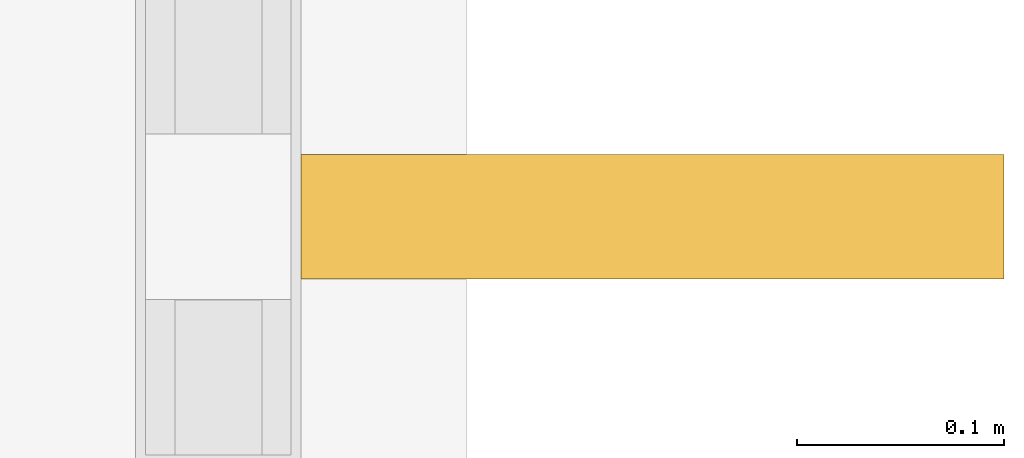
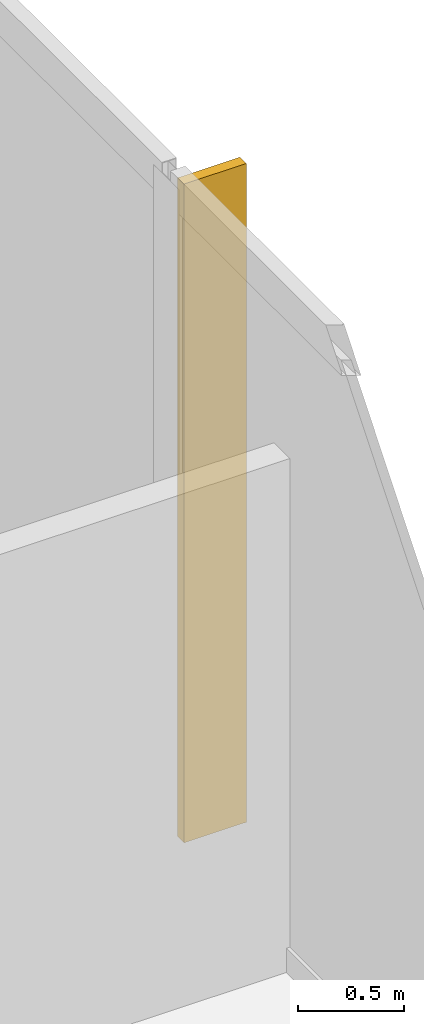
# One storey, part 32 of 32: 1 shading device.
"""IFC4 building model written with IfcOpenShell, lengths in metres."""

import ifcopenshell
import ifcopenshell.guid

model = None  # the IFC model being written
_history = None  # IfcOwnerHistory: only IFC2X3 demands one
_inside = {}  # id of a spatial element -> (the spatial element, [elements in it])
_under = {}  # id of a project, library or spatial element -> (it, [spatial elements below it])
_declared = {}  # id of a project -> (the project, [libraries it declares])
_typed = {}  # id of a type object -> (the type object, [elements of that type])
_made_of = {}  # id of a material, layer set ... -> (it, [elements and type objects made of it])


def new_model(schema):
    """Start an empty IFC model of exactly this schema.

    Asked for "IFC4X3", IfcOpenShell would pick the latest addendum, in which some entities
    have other attributes; the version numbers below select the first issue.
    IFC2X3 requires an IfcOwnerHistory on every rooted entity: one is made here for all.
    """
    global model, _history
    if schema == "IFC4X3":
        model = ifcopenshell.file(schema_version=(4, 3, 0, 0))
    else:
        model = ifcopenshell.file(schema=schema)
    _inside.clear()
    _under.clear()
    _declared.clear()
    _typed.clear()
    _made_of.clear()
    _history = None
    if model.schema == "IFC2X3":
        org = make("IfcOrganization", Name="unknown")
        user = make(
            "IfcPersonAndOrganization",
            ThePerson=make("IfcPerson", FamilyName="unknown"),
            TheOrganization=org,
        )
        app = make(
            "IfcApplication",
            ApplicationDeveloper=org,
            Version="unknown",
            ApplicationFullName="unknown",
            ApplicationIdentifier="unknown",
        )
        _history = make(
            "IfcOwnerHistory",
            OwningUser=user,
            OwningApplication=app,
            ChangeAction="ADDED",
            CreationDate=0,
        )
    return model


def make(cls, **values):
    """One entity of the class cls with the attributes given. An attribute that is None is left unset."""
    return model.create_entity(
        cls, **{name: value for name, value in values.items() if value is not None}
    )


def rooted(cls, **values):
    """An entity with a GlobalId (a new one), such as an element, a storey or a relation."""
    return make(cls, GlobalId=ifcopenshell.guid.new(), OwnerHistory=_history, **values)


def si_unit(unit_type, name, prefix=None):
    """IfcSIUnit, for example si_unit("LENGTHUNIT", "METRE", prefix="MILLI")."""
    return make("IfcSIUnit", UnitType=unit_type, Prefix=prefix, Name=name)


def assignment(units):
    """IfcUnitAssignment: the units of a project."""
    return None if units is None else make("IfcUnitAssignment", Units=units)


def point(xyz):
    """IfcCartesianPoint."""
    return None if xyz is None else make("IfcCartesianPoint", Coordinates=xyz)


def direction(xyz):
    """IfcDirection."""
    return None if xyz is None else make("IfcDirection", DirectionRatios=xyz)


def frame(location, z_axis=None, x_axis=None):
    """IfcAxis2Placement3D, a coordinate frame: its origin and axes. An axis left out is left unset."""
    return make(
        "IfcAxis2Placement3D",
        Location=point(location),
        Axis=direction(z_axis),
        RefDirection=direction(x_axis),
    )


def origin():
    """The frame at (0, 0, 0) with its axes left unset."""
    return frame((0.0, 0.0, 0.0))


def place(relative_to, where):
    """IfcLocalPlacement: puts the frame where relative to a parent placement (None: the world)."""
    return make(
        "IfcLocalPlacement", PlacementRelTo=relative_to, RelativePlacement=where
    )


def context(
    kind, dimensions, precision=None, world=None, true_north=None, identifier=None
):
    """IfcGeometricRepresentationContext, for example the 3D "Model" context."""
    return make(
        "IfcGeometricRepresentationContext",
        ContextIdentifier=identifier,
        ContextType=kind,
        CoordinateSpaceDimension=dimensions,
        Precision=precision,
        WorldCoordinateSystem=world,
        TrueNorth=true_north,
    )


def subcontext(parent, identifier, kind, view, scale=None):
    """IfcGeometricRepresentationSubContext, for example "Body" below "Model"."""
    return make(
        "IfcGeometricRepresentationSubContext",
        ContextIdentifier=identifier,
        ContextType=kind,
        ParentContext=parent,
        TargetScale=scale,
        TargetView=view,
    )


def project(units=None, contexts=None):
    """IfcProject with its units and contexts."""
    return rooted(
        "IfcProject",
        Name="project",
        RepresentationContexts=contexts,
        UnitsInContext=assignment(units),
    )


def spatial(cls, under=None, at=None, **own):
    """A site, building, storey or space (cls), placed at a placement, below another one or the project."""
    s = rooted(cls, ObjectPlacement=at, **own)
    if under is not None:
        _under.setdefault(under.id(), (under, []))[1].append(s)
    return s


def polyline(points):
    """IfcPolyline through the points."""
    return make("IfcPolyline", Points=[point(p) for p in points])


def outline(outer, holes=None, kind="AREA"):
    """IfcArbitraryClosedProfileDef: a profile drawn as a closed curve; with holes, ...WithVoids."""
    if holes is None:
        return make("IfcArbitraryClosedProfileDef", ProfileType=kind, OuterCurve=outer)
    return make(
        "IfcArbitraryProfileDefWithVoids",
        ProfileType=kind,
        OuterCurve=outer,
        InnerCurves=holes,
    )


def extrude(swept, where, along, depth):
    """IfcExtrudedAreaSolid: the profile swept, set in the frame where, extruded along a direction by depth."""
    return make(
        "IfcExtrudedAreaSolid",
        SweptArea=swept,
        Position=where,
        ExtrudedDirection=direction(along),
        Depth=depth,
    )


def shape(context_of_items, identifier, shape_type, items):
    """IfcShapeRepresentation: the items that make up one representation, for example the "Body"."""
    return make(
        "IfcShapeRepresentation",
        ContextOfItems=context_of_items,
        RepresentationIdentifier=identifier,
        RepresentationType=shape_type,
        Items=items,
    )


def material(Name=None, Category=None):
    """IfcMaterial."""
    return make("IfcMaterial", Name=Name, Category=Category)


def layer(
    of_material, thickness, ventilated=None, Name=None, Category=None, Priority=None
):
    """IfcMaterialLayer: one layer of a wall or slab, of a material (None: an air gap)."""
    return make(
        "IfcMaterialLayer",
        Material=of_material,
        LayerThickness=thickness,
        IsVentilated=ventilated,
        Name=Name,
        Category=Category,
        Priority=Priority,
    )


def layer_set(layers, Name=None):
    """IfcMaterialLayerSet."""
    return make("IfcMaterialLayerSet", MaterialLayers=layers, LayerSetName=Name)


def made_of(thing, what):
    """Note that an element or type object is made of a material, layer set ...; save() writes the relation."""
    if what is not None:
        _made_of.setdefault(what.id(), (what, []))[1].append(thing)
    return thing


def type_object(cls, material=None, **own):
    """A type object (cls), such as IfcWallType, which elements share."""
    return made_of(rooted(cls, **own), material)


def element(
    cls,
    number,
    at=None,
    inside=None,
    cuts=None,
    type_object=None,
    material=None,
    context=None,
    identifier="Body",
    shape_type=None,
    held_by="IfcProductDefinitionShape",
    body=None,
    shapes=None,
    **own,
):
    """One element of the class cls, such as IfcWall. Its Tag is "e" and its number.

    at: its placement. inside: the storey or other place that contains it. cuts: it is an
    opening in that element (IfcRelVoidsElement). A single representation is given by context,
    identifier, shape_type and body (its items); several are given by shapes. held_by: the class
    of the entity that holds the representations. save() writes the other relations.
    """
    e = rooted(cls, Tag="e%d" % number, ObjectPlacement=at, **own)
    if body is not None:
        shapes = [shape(context, identifier, shape_type, body)]
    if shapes is not None:
        e.Representation = make(held_by, Representations=shapes)
    if inside is not None:
        _inside.setdefault(inside.id(), (inside, []))[1].append(e)
    if cuts is not None:
        rooted(
            "IfcRelVoidsElement", RelatingBuildingElement=cuts, RelatedOpeningElement=e
        )
    if type_object is not None:
        _typed.setdefault(type_object.id(), (type_object, []))[1].append(e)
    return made_of(e, material)


def aggregate(whole, parts):
    """IfcRelAggregates: a whole, such as a stair, and the parts it consists of."""
    return rooted("IfcRelAggregates", RelatingObject=whole, RelatedObjects=parts)


def save(model, path):
    """Write the relations noted so far, then the file.

    IfcRelAggregates (storeys below a building ...), IfcRelContainedInSpatialStructure (elements
    in a storey), IfcRelDefinesByType, IfcRelAssociatesMaterial and IfcRelDeclares: one each for
    every whole, place, type object, material and project.
    """
    for whole, parts in _under.values():
        aggregate(whole, parts)
    for where, things in _inside.values():
        rooted(
            "IfcRelContainedInSpatialStructure",
            RelatedElements=things,
            RelatingStructure=where,
        )
    for kind, things in _typed.values():
        rooted("IfcRelDefinesByType", RelatedObjects=things, RelatingType=kind)
    for what, things in _made_of.values():
        rooted("IfcRelAssociatesMaterial", RelatedObjects=things, RelatingMaterial=what)
    for by, libraries in _declared.values():
        rooted("IfcRelDeclares", RelatingContext=by, RelatedDefinitions=libraries)
    model.write(path)


model = new_model("IFC4")

# Units and contexts
model_context = context("Model", 3, precision=1e-05, world=origin(), true_north=direction((0.0, 1.0)))
body_context = subcontext(model_context, "Body", "Model", "MODEL_VIEW")
ifc_project = project(units=[si_unit("LENGTHUNIT", "METRE"), si_unit("AREAUNIT", "SQUARE_METRE"), si_unit("VOLUMEUNIT", "CUBIC_METRE"), si_unit("PLANEANGLEUNIT", "RADIAN"), si_unit("MASSUNIT", "GRAM", prefix="KILO")], contexts=[model_context])

# Site, building, storey
site_placement = place(None, origin())
site = spatial("IfcSite", under=ifc_project, at=site_placement, CompositionType="ELEMENT")
building_placement = place(site_placement, origin())
building = spatial("IfcBuilding", under=site, at=building_placement, Name="Cobrela Telecom Tower", CompositionType="ELEMENT")
storey_placement = place(building_placement, frame((0.0, 0.0, 22.050048828125)))
storey = spatial("IfcBuildingStorey", under=building, at=storey_placement, Name="L05", CompositionType="ELEMENT", Elevation=22.050048828125)

# Shading device
ifc_material = material(Name="Anodized Bronze Aluminium 6063-T6", Category="aluminium")
ifc_layer = layer(ifc_material, 0.06005859375)
ifc_layer_set = layer_set([ifc_layer], Name="Anodized Bronze Aluminium 6063-T6")
shading_device_type = type_object("IfcShadingDeviceType", Name="SHD-FIN-BRZ", PredefinedType="USERDEFINED", material=ifc_layer_set)
shading_device_placement = place(storey_placement, frame((0.0, 0.0, 0.050048828125)))
element("IfcShadingDevice", 1, at=shading_device_placement, inside=storey, type_object=shading_device_type, Name="L05 Anodized Bronze Solar Fin 09", ObjectType="SUNSHADE", PredefinedType="USERDEFINED", context=body_context, shape_type="SweptSolid", body=[
    extrude(outline(polyline([(86.320068359375, 18.2900390625), (86.320068359375, 18.22998046875), (86.659912109375, 18.22998046875), (86.659912109375, 18.2900390625), (86.320068359375, 18.2900390625)])), origin(), (0.0, 0.0, 1.0), 3.7998046875),
])

save(model, "model.ifc")
